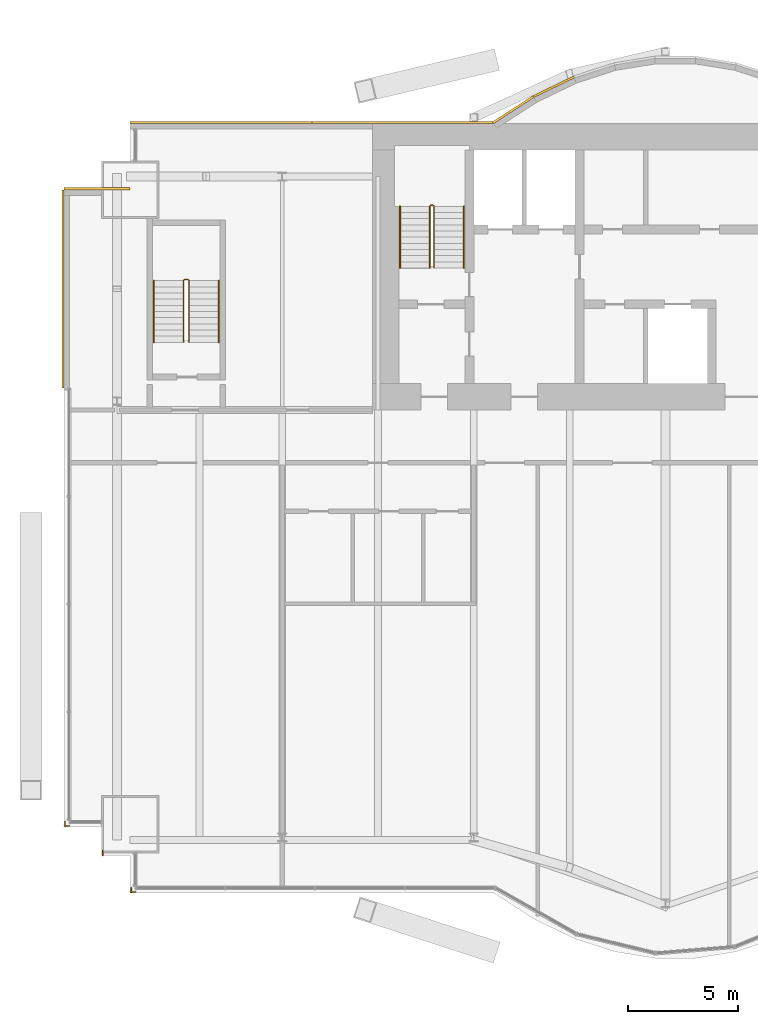
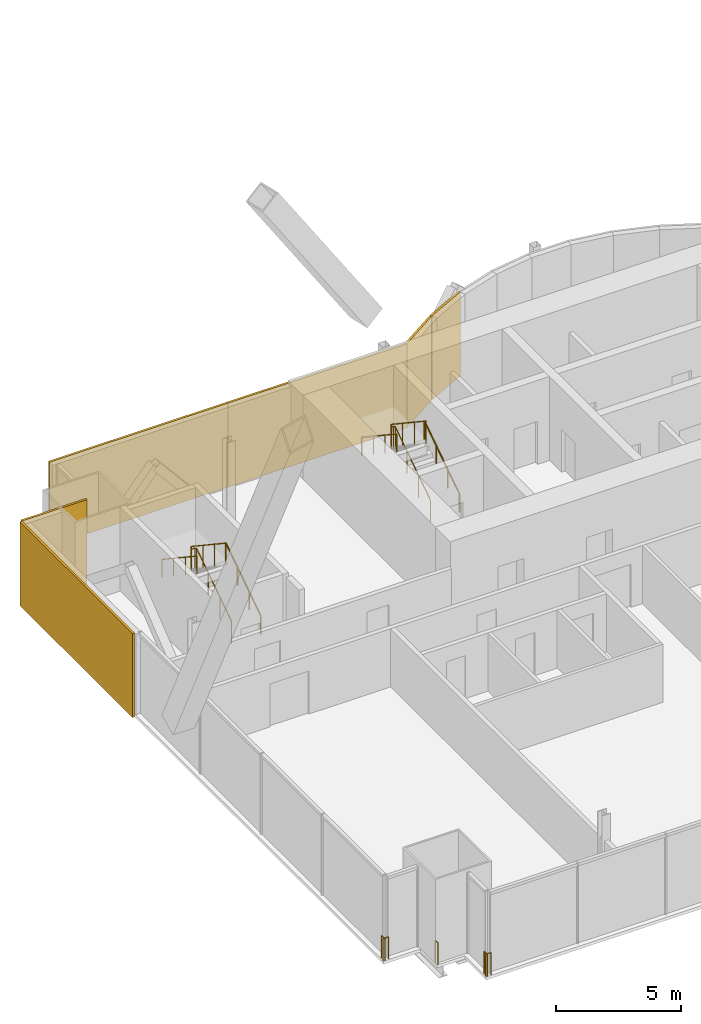
# One storey, part 22 of 24: 9 railings, 6 coverings.
"""IFC4 building model written with IfcOpenShell, lengths in metres."""

from ifc_helpers import new_model, si_unit, direction, frame, origin, origin_2d, place, context, subcontext, project, spatial, rectangle, circle, extrude, material, layer, layer_set, type_object, element, save


model = new_model("IFC4")

# Units and contexts
model_context = context("Model", 3, precision=1e-05, world=origin(), true_north=direction((0.0, 1.0)))
body_context = subcontext(model_context, "Body", "Model", "MODEL_VIEW")
ifc_project = project(units=[si_unit("LENGTHUNIT", "METRE"), si_unit("AREAUNIT", "SQUARE_METRE"), si_unit("VOLUMEUNIT", "CUBIC_METRE"), si_unit("PLANEANGLEUNIT", "RADIAN"), si_unit("MASSUNIT", "GRAM", prefix="KILO")], contexts=[model_context])

# Site, building, storey
site_placement = place(None, origin())
site = spatial("IfcSite", under=ifc_project, at=site_placement, CompositionType="ELEMENT")
building_placement = place(site_placement, origin())
building = spatial("IfcBuilding", under=site, at=building_placement, Name="Bicima Exchange Tower", CompositionType="ELEMENT")
storey_placement = place(building_placement, frame((0.0, 0.0, 160.89990234375)))
storey = spatial("IfcBuildingStorey", under=building, at=storey_placement, Name="L35", CompositionType="ELEMENT", Elevation=160.89990234375)

# Coverings
ifc_material_1 = material(Name="Bronze metal cladding")
ifc_layer_1 = layer(ifc_material_1, 0.004)
ifc_material_2 = material(Name="Ventilated cavity")
ifc_layer_2 = layer(ifc_material_2, 0.06)
ifc_material_3 = material(Name="Galvanised steel rail and mineral wool", Category="steel")
ifc_layer_3 = layer(ifc_material_3, 0.036)
ifc_layer_set = layer_set([ifc_layer_1, ifc_layer_2, ifc_layer_3], Name="Ventilated cavity")
covering_type = type_object("IfcCoveringType", Name="Bronze metal cladding panel 100", PredefinedType="CLADDING", material=ifc_layer_set)
covering_1_placement = place(storey_placement, frame((-13.771728515625, 1.674560546875, -0.14990234375), z_axis=(0.0, 0.0, 1.0), x_axis=(-0.899818346812, -0.436264762204, 0.0)))
element("IfcCovering", 1, at=covering_1_placement, inside=storey, type_object=covering_type, Name="Bronze cladding L35 18.1", PredefinedType="CLADDING", context=body_context, shape_type="SweptSolid", body=[
    extrude(rectangle(XDim=2.03759765625, YDim=0.10009765625, at=origin_2d()), origin(), (0.0, 0.0, 1.0), 4.10009765625),
])
covering_2_placement = place(storey_placement, frame((-15.610595703125, 0.634521484375, -0.14990234375), z_axis=(0.0, 0.0, 1.0), x_axis=(-0.839790466384, -0.542910648791, 0.0)))
element("IfcCovering", 2, at=covering_2_placement, inside=storey, type_object=covering_type, Name="Bronze cladding L35 19.1", PredefinedType="CLADDING", context=body_context, shape_type="SweptSolid", body=[
    extrude(rectangle(XDim=2.18310546875, YDim=0.10009765625, at=origin_2d()), origin(), (0.0, 0.0, 1.0), 4.10009765625),
])
for number, where, z_axis, x_axis, name in (
    (3, (-20.625, 0.050048828125, -0.14990234375), (0.0, 0.0, 1.0), (-1.0, 0.0, 0.0), "Bronze cladding L35 20.1"),
    (4, (-28.875, 0.050048828125, -0.14990234375), (0.0, 0.0, 1.0), (-1.0, 0.0, 0.0), "Bronze cladding L35 20.2"),
):
    element("IfcCovering", number, at=place(storey_placement, frame(where, z_axis=z_axis, x_axis=x_axis)), inside=storey, type_object=covering_type, Name=name, PredefinedType="CLADDING", context=body_context, shape_type="SweptSolid", body=[
        extrude(rectangle(XDim=8.25, YDim=0.10009765625, at=origin_2d()), origin(), (0.0, 0.0, 1.0), 4.10009765625),
    ])
covering_3_placement = place(storey_placement, frame((-34.5, -2.949951171875, -0.14990234375), z_axis=(0.0, 0.0, 1.0), x_axis=(-1.0, 0.0, 0.0)))
element("IfcCovering", 5, at=covering_3_placement, inside=storey, type_object=covering_type, Name="Bronze cladding L35 22.1", PredefinedType="CLADDING", context=body_context, shape_type="SweptSolid", body=[
    extrude(rectangle(XDim=3.0, YDim=0.10009765625, at=origin_2d()), origin(), (0.0, 0.0, 1.0), 4.10009765625),
])
covering_4_placement = place(storey_placement, frame((-36.050048828125, -7.5, -0.14990234375), z_axis=(0.0, 0.0, 1.0), x_axis=(0.0, -1.0, 0.0)))
element("IfcCovering", 6, at=covering_4_placement, inside=storey, type_object=covering_type, Name="Bronze cladding L35 23.1", PredefinedType="CLADDING", context=body_context, shape_type="SweptSolid", body=[
    extrude(rectangle(XDim=9.0, YDim=0.10009765625, at=origin_2d()), origin(), (0.0, 0.0, 1.0), 4.10009765625),
])

# Railings
ifc_material_4 = material(Name="Stainless steel and bonded safety glass", Category="steel")
railing_type_1 = type_object("IfcRailingType", Name="Edge guard 1100", PredefinedType="GUARDRAIL", material=ifc_material_4)
railing_1_placement = place(storey_placement, frame((-35.757080078125, -31.8740234375, 0.0)))
element("IfcRailing", 7, at=railing_1_placement, inside=storey, type_object=railing_type_1, Name="Edge guard L35 173", PredefinedType="GUARDRAIL", context=body_context, shape_type="SweptSolid", body=[
    extrude(circle(Radius=0.02392578125, at=origin_2d()), frame((0.0, 0.0, 1.076171875), z_axis=(-1.0, 0.0, 0.0), x_axis=(0.0, -1.0, 0.0)), (0.0, 0.0, 1.0), 0.242919921875),
    extrude(circle(Radius=0.02392578125, at=origin_2d()), frame((-0.242919921875, 0.0, 1.076171875), z_axis=(0.707106781187, -0.707106781187, 0.0), x_axis=(0.707106781187, 0.707106781187, 0.0)), (0.0, 0.0, 1.0), 0.07080078125),
    extrude(circle(Radius=0.02392578125, at=origin_2d()), frame((-0.19287109375, -0.050048828125, 1.076171875), z_axis=(0.0, 1.0, 0.0), x_axis=(-1.0, 0.0, 0.0)), (0.0, 0.0, 1.0), 0.2490234375),
    extrude(circle(Radius=0.02099609375, at=origin_2d()), origin(), (0.0, 0.0, 1.0), 1.052001953125),
    extrude(circle(Radius=0.02099609375, at=origin_2d()), frame((-0.242919921875, 0.0, 0.0)), (0.0, 0.0, 1.0), 1.052001953125),
    extrude(circle(Radius=0.02099609375, at=origin_2d()), frame((-0.19287109375, -0.050048828125, 0.0)), (0.0, 0.0, 1.0), 1.052001953125),
    extrude(circle(Radius=0.02099609375, at=origin_2d()), frame((-0.19287109375, 0.198974609375, 0.0)), (0.0, 0.0, 1.0), 1.052001953125),
])
railing_2_placement = place(storey_placement, frame((-32.75, -34.8740234375, 0.0)))
element("IfcRailing", 8, at=railing_2_placement, inside=storey, type_object=railing_type_1, Name="Edge guard L35 177", PredefinedType="GUARDRAIL", context=body_context, shape_type="SweptSolid", body=[
    extrude(circle(Radius=0.02392578125, at=origin_2d()), frame((0.0, 0.0, 1.076171875), z_axis=(-1.0, 0.0, 0.0), x_axis=(0.0, -1.0, 0.0)), (0.0, 0.0, 1.0), 0.25),
    extrude(circle(Radius=0.02392578125, at=origin_2d()), frame((-0.25, 0.0, 1.076171875), z_axis=(0.707106781187, -0.707106781187, 0.0), x_axis=(0.707106781187, 0.707106781187, 0.0)), (0.0, 0.0, 1.0), 0.07080078125),
    extrude(circle(Radius=0.02392578125, at=origin_2d()), frame((-0.199951171875, -0.050048828125, 1.076171875), z_axis=(0.0, 1.0, 0.0), x_axis=(-1.0, 0.0, 0.0)), (0.0, 0.0, 1.0), 0.2431640625),
    extrude(circle(Radius=0.02099609375, at=origin_2d()), origin(), (0.0, 0.0, 1.0), 1.052001953125),
    extrude(circle(Radius=0.02099609375, at=origin_2d()), frame((-0.25, 0.0, 0.0)), (0.0, 0.0, 1.0), 1.052001953125),
    extrude(circle(Radius=0.02099609375, at=origin_2d()), frame((-0.199951171875, -0.050048828125, 0.0)), (0.0, 0.0, 1.0), 1.052001953125),
    extrude(circle(Radius=0.02099609375, at=origin_2d()), frame((-0.199951171875, 0.193115234375, 0.0)), (0.0, 0.0, 1.0), 1.052001953125),
])
railing_3_placement = place(storey_placement, frame((-34.25, -33.22412109375, 0.0)))
element("IfcRailing", 9, at=railing_3_placement, inside=storey, type_object=railing_type_1, Name="Edge guard L35 178", PredefinedType="GUARDRAIL", context=body_context, shape_type="SweptSolid", body=[
    extrude(circle(Radius=0.02392578125, at=origin_2d()), frame((0.0, 0.0, 1.076171875), z_axis=(0.0, 1.0, 0.0), x_axis=(-1.0, 0.0, 0.0)), (0.0, 0.0, 1.0), 0.217041015625),
    extrude(circle(Radius=0.02099609375, at=origin_2d()), origin(), (0.0, 0.0, 1.0), 1.052001953125),
    extrude(circle(Radius=0.02099609375, at=origin_2d()), frame((0.0, 0.217041015625, 0.0)), (0.0, 0.0, 1.0), 1.052001953125),
])
ifc_material_5 = material(Name="Stainless steel", Category="steel")
railing_type_2 = type_object("IfcRailingType", Name="Stair guard 1100", PredefinedType="GUARDRAIL", material=ifc_material_5)
railing_4_placement = place(storey_placement, frame((-19.199951171875, -6.550048828125, 0.1865234375)))
element("IfcRailing", 10, at=railing_4_placement, inside=storey, type_object=railing_type_2, Name="L35 ST-W stair guard 1", PredefinedType="GUARDRAIL", context=body_context, shape_type="SweptSolid", body=[
    extrude(circle(Radius=0.02392578125, at=origin_2d()), frame((0.0, 0.0, 1.076171875), z_axis=(0.0, 0.832485552168, 0.554046753832), x_axis=(-1.0, 0.0, 0.0)), (0.0, 0.0, 1.0), 3.363525390625),
    extrude(circle(Radius=0.02392578125, at=origin_2d()), frame((0.0, 2.800048828125, 2.939453125), z_axis=(-0.707106781187, 0.707106781187, 0.0), x_axis=(-0.707106781187, -0.707106781187, 0.0)), (0.0, 0.0, 1.0), 0.07080078125),
    extrude(circle(Radius=0.02392578125, at=origin_2d()), frame((-0.050048828125, 2.85009765625, 2.939453125), z_axis=(-1.0, 0.0, 0.0), x_axis=(0.0, -1.0, 0.0)), (0.0, 0.0, 1.0), 0.10009765625),
    extrude(circle(Radius=0.02392578125, at=origin_2d()), frame((-0.150146484375, 2.85009765625, 2.939453125), z_axis=(-0.249722437352, -0.250946566947, 0.935235010476), x_axis=(0.708833529934, -0.705375805398, 0.0)), (0.0, 0.0, 1.0), 0.199462890625),
    extrude(circle(Radius=0.02392578125, at=origin_2d()), frame((-0.199951171875, 2.800048828125, 3.1259765625), z_axis=(0.0, -0.832485552168, 0.554046753832), x_axis=(1.0, 0.0, 0.0)), (0.0, 0.0, 1.0), 3.363525390625),
    extrude(circle(Radius=0.02099609375, at=origin_2d()), origin(), (0.0, 0.0, 1.0), 1.052001953125),
    extrude(circle(Radius=0.02099609375, at=origin_2d()), frame((0.0, 0.933349609375, 0.62109375)), (0.0, 0.0, 1.0), 1.052001953125),
    extrude(circle(Radius=0.02099609375, at=origin_2d()), frame((0.0, 1.86669921875, 1.242431640625)), (0.0, 0.0, 1.0), 1.052001953125),
    extrude(circle(Radius=0.02099609375, at=origin_2d()), frame((0.0, 2.800048828125, 1.863525390625)), (0.0, 0.0, 1.0), 1.052001953125),
    extrude(circle(Radius=0.02099609375, at=origin_2d()), frame((-0.050048828125, 2.85009765625, 1.863525390625)), (0.0, 0.0, 1.0), 1.052001953125),
    extrude(circle(Radius=0.02099609375, at=origin_2d()), frame((-0.150146484375, 2.85009765625, 1.863525390625)), (0.0, 0.0, 1.0), 1.052001953125),
    extrude(circle(Radius=0.02099609375, at=origin_2d()), frame((-0.199951171875, 2.800048828125, 2.050048828125)), (0.0, 0.0, 1.0), 1.052001953125),
    extrude(circle(Radius=0.02099609375, at=origin_2d()), frame((-0.199951171875, 1.86669921875, 2.671142578125)), (0.0, 0.0, 1.0), 1.052001953125),
    extrude(circle(Radius=0.02099609375, at=origin_2d()), frame((-0.199951171875, 0.933349609375, 3.29248046875)), (0.0, 0.0, 1.0), 1.052001953125),
    extrude(circle(Radius=0.02099609375, at=origin_2d()), frame((-0.199951171875, 0.0, 3.91357421875)), (0.0, 0.0, 1.0), 1.052001953125),
])
railing_5_placement = place(storey_placement, frame((-30.324951171875, -9.925048828125, 0.1865234375)))
element("IfcRailing", 11, at=railing_5_placement, inside=storey, type_object=railing_type_2, Name="L35 ST-WW stair guard 1", PredefinedType="GUARDRAIL", context=body_context, shape_type="SweptSolid", body=[
    extrude(circle(Radius=0.02392578125, at=origin_2d()), frame((0.0, 0.0, 1.076171875), z_axis=(0.0, 0.832485552168, 0.554046753832), x_axis=(-1.0, 0.0, 0.0)), (0.0, 0.0, 1.0), 3.363525390625),
    extrude(circle(Radius=0.02392578125, at=origin_2d()), frame((0.0, 2.800048828125, 2.939453125), z_axis=(-0.707106781187, 0.707106781187, 0.0), x_axis=(-0.707106781187, -0.707106781187, 0.0)), (0.0, 0.0, 1.0), 0.07080078125),
    extrude(circle(Radius=0.02392578125, at=origin_2d()), frame((-0.050048828125, 2.85009765625, 2.939453125), z_axis=(-1.0, 0.0, 0.0), x_axis=(0.0, -1.0, 0.0)), (0.0, 0.0, 1.0), 0.14990234375),
    extrude(circle(Radius=0.02392578125, at=origin_2d()), frame((-0.199951171875, 2.85009765625, 2.939453125), z_axis=(-0.250869701741, -0.250869701741, 0.934948546978), x_axis=(0.707106781187, -0.707106781187, 0.0)), (0.0, 0.0, 1.0), 0.199462890625),
    extrude(circle(Radius=0.02392578125, at=origin_2d()), frame((-0.25, 2.800048828125, 3.1259765625), z_axis=(0.0, -0.832485552168, 0.554046753832), x_axis=(1.0, 0.0, 0.0)), (0.0, 0.0, 1.0), 3.363525390625),
    extrude(circle(Radius=0.02099609375, at=origin_2d()), origin(), (0.0, 0.0, 1.0), 1.052001953125),
    extrude(circle(Radius=0.02099609375, at=origin_2d()), frame((0.0, 0.933349609375, 0.62109375)), (0.0, 0.0, 1.0), 1.052001953125),
    extrude(circle(Radius=0.02099609375, at=origin_2d()), frame((0.0, 1.86669921875, 1.242431640625)), (0.0, 0.0, 1.0), 1.052001953125),
    extrude(circle(Radius=0.02099609375, at=origin_2d()), frame((0.0, 2.800048828125, 1.863525390625)), (0.0, 0.0, 1.0), 1.052001953125),
    extrude(circle(Radius=0.02099609375, at=origin_2d()), frame((-0.050048828125, 2.85009765625, 1.863525390625)), (0.0, 0.0, 1.0), 1.052001953125),
    extrude(circle(Radius=0.02099609375, at=origin_2d()), frame((-0.199951171875, 2.85009765625, 1.863525390625)), (0.0, 0.0, 1.0), 1.052001953125),
    extrude(circle(Radius=0.02099609375, at=origin_2d()), frame((-0.25, 2.800048828125, 2.050048828125)), (0.0, 0.0, 1.0), 1.052001953125),
    extrude(circle(Radius=0.02099609375, at=origin_2d()), frame((-0.25, 1.86669921875, 2.671142578125)), (0.0, 0.0, 1.0), 1.052001953125),
    extrude(circle(Radius=0.02099609375, at=origin_2d()), frame((-0.25, 0.933349609375, 3.29248046875)), (0.0, 0.0, 1.0), 1.052001953125),
    extrude(circle(Radius=0.02099609375, at=origin_2d()), frame((-0.25, 0.0, 3.91357421875)), (0.0, 0.0, 1.0), 1.052001953125),
])
railing_type_3 = type_object("IfcRailingType", Name="Stair handrail 900", PredefinedType="HANDRAIL", material=ifc_material_5)
railing_6_placement = place(storey_placement, frame((-17.85009765625, -6.550048828125, 0.1865234375)))
element("IfcRailing", 12, at=railing_6_placement, inside=storey, type_object=railing_type_3, Name="L35 ST-W stair handrail 1", PredefinedType="HANDRAIL", context=body_context, shape_type="SweptSolid", body=[
    extrude(circle(Radius=0.02392578125, at=origin_2d()), frame((0.0, 0.0, 0.8759765625), z_axis=(0.0, 0.832485552168, 0.554046753832), x_axis=(-1.0, 0.0, 0.0)), (0.0, 0.0, 1.0), 3.363525390625),
    extrude(circle(Radius=0.02099609375, at=origin_2d()), origin(), (0.0, 0.0, 1.0), 0.851806640625),
    extrude(circle(Radius=0.02099609375, at=origin_2d()), frame((0.0, 0.933349609375, 0.62109375)), (0.0, 0.0, 1.0), 0.851806640625),
    extrude(circle(Radius=0.02099609375, at=origin_2d()), frame((0.0, 1.86669921875, 1.242431640625)), (0.0, 0.0, 1.0), 0.851806640625),
    extrude(circle(Radius=0.02099609375, at=origin_2d()), frame((0.0, 2.800048828125, 1.863525390625)), (0.0, 0.0, 1.0), 0.851806640625),
])
railing_7_placement = place(storey_placement, frame((-20.75, -3.75, 2.27685546875)))
element("IfcRailing", 13, at=railing_7_placement, inside=storey, type_object=railing_type_3, Name="L35 ST-W stair handrail 2", PredefinedType="HANDRAIL", context=body_context, shape_type="SweptSolid", body=[
    extrude(circle(Radius=0.02392578125, at=origin_2d()), frame((0.0, 0.0, 0.8759765625), z_axis=(0.0, -0.832485552168, 0.554046753832), x_axis=(1.0, 0.0, 0.0)), (0.0, 0.0, 1.0), 3.363525390625),
    extrude(circle(Radius=0.02099609375, at=origin_2d()), origin(), (0.0, 0.0, 1.0), 0.851806640625),
    extrude(circle(Radius=0.02099609375, at=origin_2d()), frame((0.0, -0.933349609375, 0.62109375)), (0.0, 0.0, 1.0), 0.851806640625),
    extrude(circle(Radius=0.02099609375, at=origin_2d()), frame((0.0, -1.86669921875, 1.242431640625)), (0.0, 0.0, 1.0), 0.851806640625),
    extrude(circle(Radius=0.02099609375, at=origin_2d()), frame((0.0, -2.800048828125, 1.863525390625)), (0.0, 0.0, 1.0), 0.851806640625),
])
railing_8_placement = place(storey_placement, frame((-28.97509765625, -9.925048828125, 0.1865234375)))
element("IfcRailing", 14, at=railing_8_placement, inside=storey, type_object=railing_type_3, Name="L35 ST-WW stair handrail 1", PredefinedType="HANDRAIL", context=body_context, shape_type="SweptSolid", body=[
    extrude(circle(Radius=0.02392578125, at=origin_2d()), frame((0.0, 0.0, 0.8759765625), z_axis=(0.0, 0.832485552168, 0.554046753832), x_axis=(-1.0, 0.0, 0.0)), (0.0, 0.0, 1.0), 3.363525390625),
    extrude(circle(Radius=0.02099609375, at=origin_2d()), origin(), (0.0, 0.0, 1.0), 0.851806640625),
    extrude(circle(Radius=0.02099609375, at=origin_2d()), frame((0.0, 0.933349609375, 0.62109375)), (0.0, 0.0, 1.0), 0.851806640625),
    extrude(circle(Radius=0.02099609375, at=origin_2d()), frame((0.0, 1.86669921875, 1.242431640625)), (0.0, 0.0, 1.0), 0.851806640625),
    extrude(circle(Radius=0.02099609375, at=origin_2d()), frame((0.0, 2.800048828125, 1.863525390625)), (0.0, 0.0, 1.0), 0.851806640625),
])
railing_9_placement = place(storey_placement, frame((-31.925048828125, -7.125, 2.27685546875)))
element("IfcRailing", 15, at=railing_9_placement, inside=storey, type_object=railing_type_3, Name="L35 ST-WW stair handrail 2", PredefinedType="HANDRAIL", context=body_context, shape_type="SweptSolid", body=[
    extrude(circle(Radius=0.02392578125, at=origin_2d()), frame((0.0, 0.0, 0.8759765625), z_axis=(0.0, -0.832485552168, 0.554046753832), x_axis=(1.0, 0.0, 0.0)), (0.0, 0.0, 1.0), 3.363525390625),
    extrude(circle(Radius=0.02099609375, at=origin_2d()), origin(), (0.0, 0.0, 1.0), 0.851806640625),
    extrude(circle(Radius=0.02099609375, at=origin_2d()), frame((0.0, -0.933349609375, 0.62109375)), (0.0, 0.0, 1.0), 0.851806640625),
    extrude(circle(Radius=0.02099609375, at=origin_2d()), frame((0.0, -1.86669921875, 1.242431640625)), (0.0, 0.0, 1.0), 0.851806640625),
    extrude(circle(Radius=0.02099609375, at=origin_2d()), frame((0.0, -2.800048828125, 1.863525390625)), (0.0, 0.0, 1.0), 0.851806640625),
])

save(model, "model.ifc")
